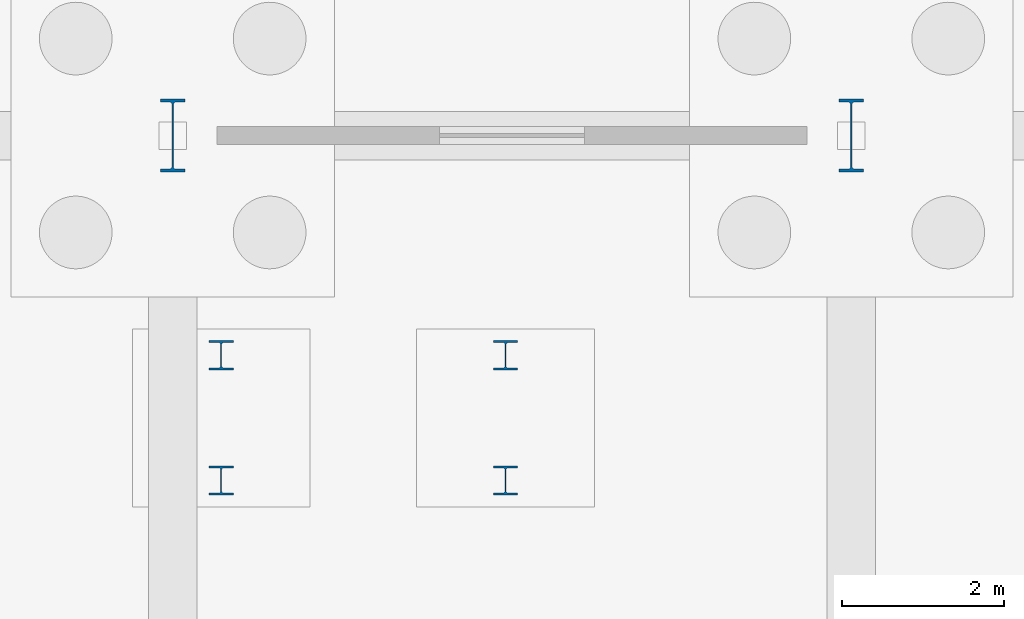
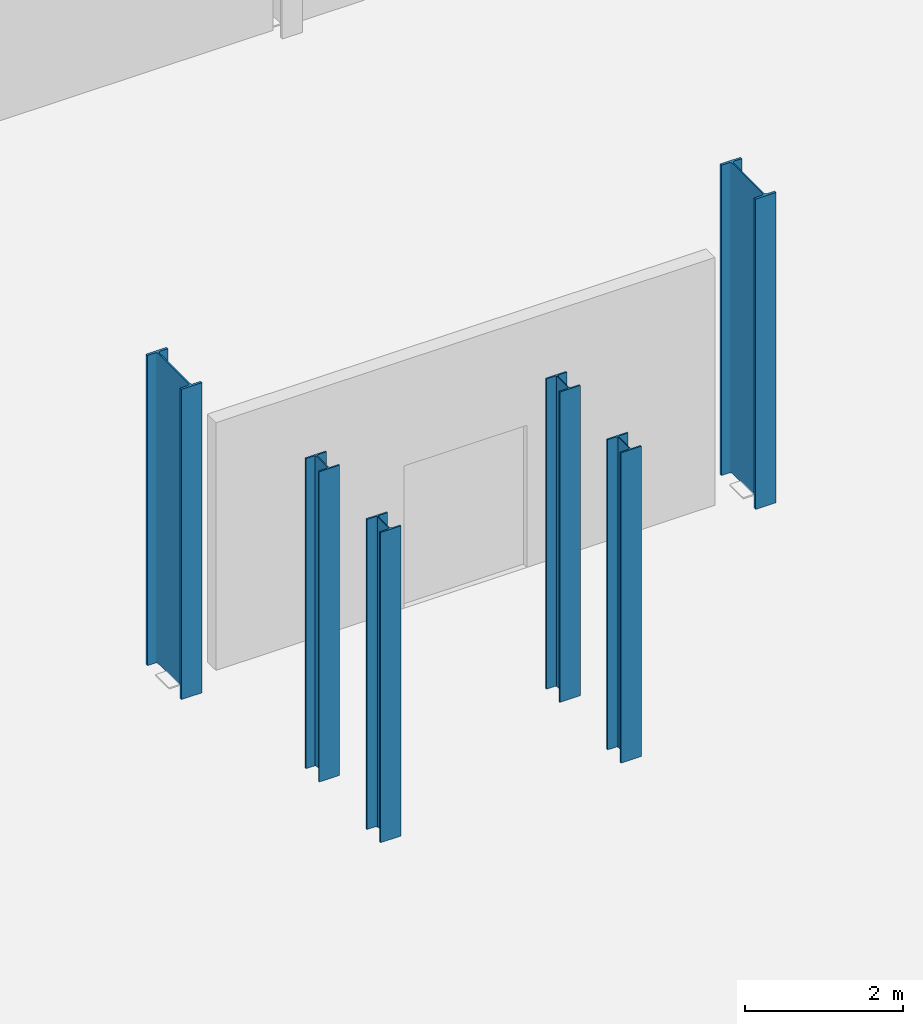
# One storey, part 10 of 29: 6 columns.
"""IFC4 building model written with IfcOpenShell, lengths in metres."""

from ifc_helpers import new_model, si_unit, direction, frame, origin, origin_2d, place, context, subcontext, project, spatial, i_section, extrude, material, material_profile, profile_set, type_object, element, save


model = new_model("IFC4")

# Units and contexts
model_context = context("Model", 3, precision=1e-05, world=origin(), true_north=direction((0.0, 1.0)))
body_context = subcontext(model_context, "Body", "Model", "MODEL_VIEW")
ifc_project = project(units=[si_unit("LENGTHUNIT", "METRE"), si_unit("AREAUNIT", "SQUARE_METRE"), si_unit("VOLUMEUNIT", "CUBIC_METRE"), si_unit("PLANEANGLEUNIT", "RADIAN"), si_unit("MASSUNIT", "GRAM", prefix="KILO")], contexts=[model_context])

# Site, building, storey
site_placement = place(None, origin())
site = spatial("IfcSite", under=ifc_project, at=site_placement, CompositionType="ELEMENT")
building_placement = place(site_placement, origin())
building = spatial("IfcBuilding", under=site, at=building_placement, Name="Veltarok Museum of Natural Sciences", CompositionType="ELEMENT")
storey_placement = place(building_placement, frame((0.0, 0.0, -4.800048828125)))
storey = spatial("IfcBuildingStorey", under=building, at=storey_placement, Name="B1", CompositionType="ELEMENT", Elevation=-4.800048828125)

# Columns
ifc_material = material(Name="Steel S355J2", Category="steel")
ifc_material_profile_1 = material_profile(ifc_material, i_section(OverallWidth=0.300048828125, OverallDepth=0.89990234375, WebThickness=0.0185546875, FlangeThickness=0.034912109375, FilletRadius=0.030029296875, at=origin_2d()), Name="HEB 900")
ifc_profile_set_1 = profile_set([ifc_material_profile_1], Name="Steel S355J2")
column_type_1 = type_object("IfcColumnType", Name="Heavy Hall Column HEB 900", PredefinedType="COLUMN", material=ifc_profile_set_1)
for number, where, z_axis, x_axis, name in (
    (1, (56.800048828125, 60.0, 0.0), (0.0, 0.0, 1.0), (1.0, 0.0, 0.0), "Column COL-S01 B1 7/G"),
    (2, (65.199951171875, 60.0, 0.0), (0.0, 0.0, 1.0), (1.0, 0.0, 0.0), "Column COL-S01 B1 8/G"),
):
    element("IfcColumn", number, at=place(storey_placement, frame(where, z_axis=z_axis, x_axis=x_axis)), inside=storey, type_object=column_type_1, Name=name, PredefinedType="COLUMN", context=body_context, shape_type="SweptSolid", body=[
        extrude(i_section(OverallWidth=0.300048828125, OverallDepth=0.89990234375, WebThickness=0.0185546875, FlangeThickness=0.034912109375, FilletRadius=0.030029296875, at=origin_2d()), origin(), (0.0, 0.0, 1.0), 4.800048828125),
    ])
ifc_material_profile_2 = material_profile(ifc_material, i_section(OverallWidth=0.300048828125, OverallDepth=0.360107421875, WebThickness=0.012451171875, FlangeThickness=0.0224609375, FilletRadius=0.027099609375, at=origin_2d()), Name="HEB 360")
ifc_profile_set_2 = profile_set([ifc_material_profile_2], Name="Steel S355J2")
column_type_2 = type_object("IfcColumnType", Name="Secondary Hall Column HEB 360", PredefinedType="COLUMN", material=ifc_profile_set_2)
for number, where, z_axis, x_axis, name in (
    (3, (57.39990234375, 55.72998046875, 0.0), (0.0, 0.0, 1.0), (1.0, 0.0, 0.0), "Atrium Stair Substructure Column B1-1"),
    (4, (60.919921875, 55.72998046875, 0.0), (0.0, 0.0, 1.0), (1.0, 0.0, 0.0), "Atrium Stair Substructure Column B1-2"),
    (5, (57.39990234375, 57.280029296875, 0.0), (0.0, 0.0, 1.0), (1.0, 0.0, 0.0), "Atrium Stair Substructure Column B1-3"),
    (6, (60.919921875, 57.280029296875, 0.0), (0.0, 0.0, 1.0), (1.0, 0.0, 0.0), "Atrium Stair Substructure Column B1-4"),
):
    element("IfcColumn", number, at=place(storey_placement, frame(where, z_axis=z_axis, x_axis=x_axis)), inside=storey, type_object=column_type_2, Name=name, PredefinedType="COLUMN", context=body_context, shape_type="SweptSolid", body=[
        extrude(i_section(OverallWidth=0.300048828125, OverallDepth=0.360107421875, WebThickness=0.012451171875, FlangeThickness=0.0224609375, FilletRadius=0.027099609375, at=origin_2d()), origin(), (0.0, 0.0, 1.0), 4.800048828125),
    ])

save(model, "model.ifc")
